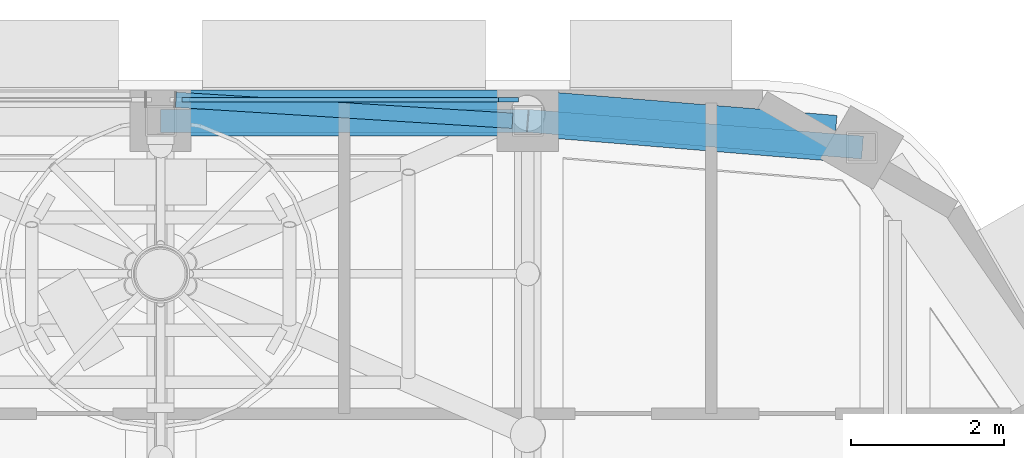
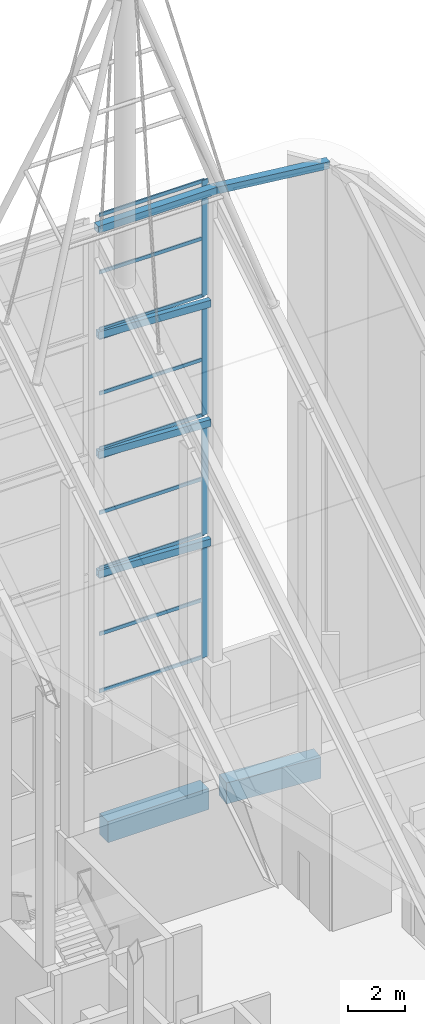
# One storey, part 6 of 25: 18 members, 5 beams, 4 elements without a shape of their own.
"""IFC4 building model written with IfcOpenShell, lengths in metres."""

from ifc_helpers import new_model, si_unit, direction, frame, origin, origin_2d, place, context, subcontext, project, spatial, rectangle, hollow_rectangle, extrude, material, material_profile, profile_set, type_object, element, aggregate, save


model = new_model("IFC4")

# Units and contexts
model_context = context("Model", 3, precision=1e-05, world=origin(), true_north=direction((0.0, 1.0)))
body_context = subcontext(model_context, "Body", "Model", "MODEL_VIEW")
ifc_project = project(units=[si_unit("LENGTHUNIT", "METRE"), si_unit("AREAUNIT", "SQUARE_METRE"), si_unit("VOLUMEUNIT", "CUBIC_METRE"), si_unit("PLANEANGLEUNIT", "RADIAN"), si_unit("MASSUNIT", "GRAM", prefix="KILO")], contexts=[model_context])

# Site, building, storey
site_placement = place(None, origin())
site = spatial("IfcSite", under=ifc_project, at=site_placement, CompositionType="ELEMENT")
building_placement = place(site_placement, origin())
building = spatial("IfcBuilding", under=site, at=building_placement, Name="Kolab Exchange Tower", CompositionType="ELEMENT")
storey_placement = place(building_placement, frame((0.0, 0.0, 301.89990234375)))
storey = spatial("IfcBuildingStorey", under=building, at=storey_placement, Name="L68", CompositionType="ELEMENT", Elevation=301.89990234375)

# Curtain wall, member
ifc_material_1 = material(Name="Aluminium EN AW-6063 T6", Category="aluminium")
curtain_wall_type = type_object("IfcCurtainWallType", Name="CROWN GLAZING CURTAIN WALL", PredefinedType="NOTDEFINED", material=ifc_material_1)
curtain_wall_1_placement = place(storey_placement, origin())
curtain_wall_1 = element("IfcCurtainWall", 1, at=curtain_wall_1_placement, inside=storey, type_object=curtain_wall_type, Name="cw/L68/crown-F1-3-1", PredefinedType="NOTDEFINED")
ifc_material_profile_1 = material_profile(ifc_material_1, rectangle(XDim=0.06005859375, YDim=0.260009765625, at=origin_2d()), Name="RECT 60X260")
ifc_profile_set_1 = profile_set([ifc_material_profile_1], Name="Aluminium EN AW-6063 T6")
member_type_1 = type_object("IfcMemberType", Name="CROWN GLAZING MULLION 60 X 260", PredefinedType="MULLION", material=ifc_profile_set_1)
member_1_placement = place(storey_placement, frame((4.550048828125, 16.502685546875, 5.0), z_axis=(0.0, 0.0, 1.0), x_axis=(0.0, 1.0, 0.0)))
member_1 = element("IfcMember", 2, at=member_1_placement, type_object=member_type_1, Name="CW7 mullion 2", PredefinedType="MULLION", context=body_context, shape_type="SweptSolid", body=[
    extrude(rectangle(XDim=0.06005859375, YDim=0.260009765625, at=origin_2d()), origin(), (0.0, 0.0, 1.0), 4.951904296875),
])

curtain_wall_2_placement = place(storey_placement, origin())
curtain_wall_2 = element("IfcCurtainWall", 3, at=curtain_wall_2_placement, inside=storey, type_object=curtain_wall_type, Name="cw/L68/crown-F1-3-2", PredefinedType="NOTDEFINED")
member_2_placement = place(storey_placement, frame((4.550048828125, 16.502685546875, 10.251953125), z_axis=(0.0, 0.0, 1.0), x_axis=(0.0, 1.0, 0.0)))
member_2 = element("IfcMember", 4, at=member_2_placement, type_object=member_type_1, Name="CW7 mullion 2", PredefinedType="MULLION", context=body_context, shape_type="SweptSolid", body=[
    extrude(rectangle(XDim=0.06005859375, YDim=0.260009765625, at=origin_2d()), origin(), (0.0, 0.0, 1.0), 4.8017578125),
])

curtain_wall_3_placement = place(storey_placement, origin())
curtain_wall_3 = element("IfcCurtainWall", 5, at=curtain_wall_3_placement, inside=storey, type_object=curtain_wall_type, Name="cw/L68/crown-F1-3-3", PredefinedType="NOTDEFINED")
member_3_placement = place(storey_placement, frame((4.550048828125, 16.502685546875, 15.353759765625), z_axis=(0.0, 0.0, 1.0), x_axis=(0.0, 1.0, 0.0)))
member_3 = element("IfcMember", 6, at=member_3_placement, type_object=member_type_1, Name="CW7 mullion 2", PredefinedType="MULLION", context=body_context, shape_type="SweptSolid", body=[
    extrude(rectangle(XDim=0.06005859375, YDim=0.260009765625, at=origin_2d()), origin(), (0.0, 0.0, 1.0), 4.8017578125),
])

curtain_wall_4_placement = place(storey_placement, origin())
curtain_wall_4 = element("IfcCurtainWall", 7, at=curtain_wall_4_placement, inside=storey, type_object=curtain_wall_type, Name="cw/L68/crown-F1-3-4", PredefinedType="NOTDEFINED")
member_4_placement = place(storey_placement, frame((4.550048828125, 16.502685546875, 20.45556640625), z_axis=(0.0, 0.0, 1.0), x_axis=(0.0, 1.0, 0.0)))
member_4 = element("IfcMember", 8, at=member_4_placement, type_object=member_type_1, Name="CW7 mullion 2", PredefinedType="MULLION", context=body_context, shape_type="SweptSolid", body=[
    extrude(rectangle(XDim=0.06005859375, YDim=0.260009765625, at=origin_2d()), origin(), (0.0, 0.0, 1.0), 4.951904296875),
])

# Member
ifc_material_profile_2 = material_profile(ifc_material_1, rectangle(XDim=0.06005859375, YDim=0.14990234375, at=origin_2d()), Name="RECT 60X150")
ifc_profile_set_2 = profile_set([ifc_material_profile_2], Name="Aluminium EN AW-6063 T6")
member_type_2 = type_object("IfcMemberType", Name="CROWN GLAZING TRANSOM 60 X 150", PredefinedType="USERDEFINED", material=ifc_profile_set_2)
member_5_placement = place(storey_placement, frame((0.280029296875, 16.502685546875, 5.030029296875), z_axis=(1.0, 0.0, 0.0), x_axis=(0.0, 1.0, 0.0)))
member_5 = element("IfcMember", 9, at=member_5_placement, type_object=member_type_2, Name="CW7 transom 1.1", ObjectType="TRANSOM", PredefinedType="USERDEFINED", context=body_context, shape_type="SweptSolid", body=[
    extrude(rectangle(XDim=0.06005859375, YDim=0.14990234375, at=origin_2d()), origin(), (0.0, 0.0, 1.0), 4.239990234375),
])

member_6_placement = place(storey_placement, frame((0.280029296875, 16.502685546875, 7.47607421875), z_axis=(1.0, 0.0, 0.0), x_axis=(0.0, 1.0, 0.0)))
member_6 = element("IfcMember", 10, at=member_6_placement, type_object=member_type_2, Name="CW7 transom 1.2", ObjectType="TRANSOM", PredefinedType="USERDEFINED", context=body_context, shape_type="SweptSolid", body=[
    extrude(rectangle(XDim=0.06005859375, YDim=0.14990234375, at=origin_2d()), origin(), (0.0, 0.0, 1.0), 4.239990234375),
])

member_7_placement = place(storey_placement, frame((0.280029296875, 16.502685546875, 9.921875), z_axis=(1.0, 0.0, 0.0), x_axis=(0.0, 1.0, 0.0)))
member_7 = element("IfcMember", 11, at=member_7_placement, type_object=member_type_2, Name="CW7 transom 1.3", ObjectType="TRANSOM", PredefinedType="USERDEFINED", context=body_context, shape_type="SweptSolid", body=[
    extrude(rectangle(XDim=0.06005859375, YDim=0.14990234375, at=origin_2d()), origin(), (0.0, 0.0, 1.0), 4.239990234375),
])

aggregate(curtain_wall_1, [member_1, member_5, member_6, member_7])

member_8_placement = place(storey_placement, frame((0.280029296875, 16.502685546875, 10.281982421875), z_axis=(1.0, 0.0, 0.0), x_axis=(0.0, 1.0, 0.0)))
member_8 = element("IfcMember", 12, at=member_8_placement, type_object=member_type_2, Name="CW7 transom 1.1", ObjectType="TRANSOM", PredefinedType="USERDEFINED", context=body_context, shape_type="SweptSolid", body=[
    extrude(rectangle(XDim=0.06005859375, YDim=0.14990234375, at=origin_2d()), origin(), (0.0, 0.0, 1.0), 4.239990234375),
])

member_9_placement = place(storey_placement, frame((0.280029296875, 16.502685546875, 12.65283203125), z_axis=(1.0, 0.0, 0.0), x_axis=(0.0, 1.0, 0.0)))
member_9 = element("IfcMember", 13, at=member_9_placement, type_object=member_type_2, Name="CW7 transom 1.2", ObjectType="TRANSOM", PredefinedType="USERDEFINED", context=body_context, shape_type="SweptSolid", body=[
    extrude(rectangle(XDim=0.06005859375, YDim=0.14990234375, at=origin_2d()), origin(), (0.0, 0.0, 1.0), 4.239990234375),
])

member_10_placement = place(storey_placement, frame((0.280029296875, 16.502685546875, 15.023681640625), z_axis=(1.0, 0.0, 0.0), x_axis=(0.0, 1.0, 0.0)))
member_10 = element("IfcMember", 14, at=member_10_placement, type_object=member_type_2, Name="CW7 transom 1.3", ObjectType="TRANSOM", PredefinedType="USERDEFINED", context=body_context, shape_type="SweptSolid", body=[
    extrude(rectangle(XDim=0.06005859375, YDim=0.14990234375, at=origin_2d()), origin(), (0.0, 0.0, 1.0), 4.239990234375),
])

aggregate(curtain_wall_2, [member_2, member_8, member_9, member_10])

member_11_placement = place(storey_placement, frame((0.280029296875, 16.502685546875, 15.3837890625), z_axis=(1.0, 0.0, 0.0), x_axis=(0.0, 1.0, 0.0)))
member_11 = element("IfcMember", 15, at=member_11_placement, type_object=member_type_2, Name="CW7 transom 1.1", ObjectType="TRANSOM", PredefinedType="USERDEFINED", context=body_context, shape_type="SweptSolid", body=[
    extrude(rectangle(XDim=0.06005859375, YDim=0.14990234375, at=origin_2d()), origin(), (0.0, 0.0, 1.0), 4.239990234375),
])

member_12_placement = place(storey_placement, frame((0.280029296875, 16.502685546875, 17.754638671875), z_axis=(1.0, 0.0, 0.0), x_axis=(0.0, 1.0, 0.0)))
member_12 = element("IfcMember", 16, at=member_12_placement, type_object=member_type_2, Name="CW7 transom 1.2", ObjectType="TRANSOM", PredefinedType="USERDEFINED", context=body_context, shape_type="SweptSolid", body=[
    extrude(rectangle(XDim=0.06005859375, YDim=0.14990234375, at=origin_2d()), origin(), (0.0, 0.0, 1.0), 4.239990234375),
])

member_13_placement = place(storey_placement, frame((0.280029296875, 16.502685546875, 20.125732421875), z_axis=(1.0, 0.0, 0.0), x_axis=(0.0, 1.0, 0.0)))
member_13 = element("IfcMember", 17, at=member_13_placement, type_object=member_type_2, Name="CW7 transom 1.3", ObjectType="TRANSOM", PredefinedType="USERDEFINED", context=body_context, shape_type="SweptSolid", body=[
    extrude(rectangle(XDim=0.06005859375, YDim=0.14990234375, at=origin_2d()), origin(), (0.0, 0.0, 1.0), 4.239990234375),
])

aggregate(curtain_wall_3, [member_3, member_11, member_12, member_13])

member_14_placement = place(storey_placement, frame((0.280029296875, 16.502685546875, 20.485595703125), z_axis=(1.0, 0.0, 0.0), x_axis=(0.0, 1.0, 0.0)))
member_14 = element("IfcMember", 18, at=member_14_placement, type_object=member_type_2, Name="CW7 transom 1.1", ObjectType="TRANSOM", PredefinedType="USERDEFINED", context=body_context, shape_type="SweptSolid", body=[
    extrude(rectangle(XDim=0.06005859375, YDim=0.14990234375, at=origin_2d()), origin(), (0.0, 0.0, 1.0), 4.239990234375),
])

member_15_placement = place(storey_placement, frame((0.280029296875, 16.502685546875, 22.931640625), z_axis=(1.0, 0.0, 0.0), x_axis=(0.0, 1.0, 0.0)))
member_15 = element("IfcMember", 19, at=member_15_placement, type_object=member_type_2, Name="CW7 transom 1.2", ObjectType="TRANSOM", PredefinedType="USERDEFINED", context=body_context, shape_type="SweptSolid", body=[
    extrude(rectangle(XDim=0.06005859375, YDim=0.14990234375, at=origin_2d()), origin(), (0.0, 0.0, 1.0), 4.239990234375),
])

member_16_placement = place(storey_placement, frame((0.280029296875, 16.502685546875, 25.37744140625), z_axis=(1.0, 0.0, 0.0), x_axis=(0.0, 1.0, 0.0)))
member_16 = element("IfcMember", 20, at=member_16_placement, type_object=member_type_2, Name="CW7 transom 1.3", ObjectType="TRANSOM", PredefinedType="USERDEFINED", context=body_context, shape_type="SweptSolid", body=[
    extrude(rectangle(XDim=0.06005859375, YDim=0.14990234375, at=origin_2d()), origin(), (0.0, 0.0, 1.0), 4.239990234375),
])

aggregate(curtain_wall_4, [member_4, member_14, member_15, member_16])

# Members
ifc_material_2 = material(Name="Steel S355", Category="steel")
ifc_material_profile_3 = material_profile(ifc_material_2, hollow_rectangle(XDim=0.300048828125, YDim=0.300048828125, WallThickness=0.01611328125, at=origin_2d()), Name="HSS300X300X16")
ifc_profile_set_3 = profile_set([ifc_material_profile_3], Name="Steel S355")
member_type_3 = type_object("IfcMemberType", Name="CROWN RING HSS300X300X16", PredefinedType="CHORD", material=ifc_profile_set_3)
member_17_placement = place(storey_placement, frame((0.0, 16.227783203125, 25.085693359375), z_axis=(1.0, 0.0, 0.0), x_axis=(0.0, 1.0, 0.0)))
element("IfcMember", 21, at=member_17_placement, inside=storey, type_object=member_type_3, Name="mem/L68/crown/ring-F1-03", PredefinedType="CHORD", context=body_context, shape_type="SweptSolid", body=[
    extrude(hollow_rectangle(XDim=0.300048828125, YDim=0.300048828125, WallThickness=0.01611328125, at=origin_2d()), origin(), (0.0, 0.0, 1.0), 4.800048828125),
])
member_18_placement = place(storey_placement, frame((4.800048828125, 16.227783203125, 25.085693359375), z_axis=(0.995605365729, -0.079410254144, -0.049638364889), x_axis=(0.079508267441, 0.99683420658, 0.0)))
element("IfcMember", 22, at=member_18_placement, inside=storey, type_object=member_type_3, Name="mem/L68/crown/ring-F1-04", PredefinedType="CHORD", context=body_context, shape_type="SweptSolid", body=[
    extrude(hollow_rectangle(XDim=0.300048828125, YDim=0.300048828125, WallThickness=0.01611328125, at=origin_2d()), origin(), (0.0, 0.0, 1.0), 4.38720703125),
])

# Beams
ifc_material_profile_4 = material_profile(ifc_material_2, hollow_rectangle(XDim=0.199951171875, YDim=0.300048828125, WallThickness=0.011962890625, at=origin_2d()), Name="RHS300X200X12")
ifc_profile_set_4 = profile_set([ifc_material_profile_4], Name="Steel S355")
beam_type_1 = type_object("IfcBeamType", Name="CROWN WIND GIRDER RHS 300 X 200 X 12", PredefinedType="BEAM", material=ifc_profile_set_4)
for number, where, z_axis, x_axis, name in (
    (23, (0.199951171875, 16.502685546875, 10.10205078125), (0.998054086506, -0.062354153105, 0.0), (0.062354153105, 0.998054086506, 0.0), "Crown wind girder"),
    (24, (0.199951171875, 16.502685546875, 15.203857421875), (0.998054086506, -0.062354153105, 0.0), (0.062354153105, 0.998054086506, 0.0), "Crown wind girder"),
    (25, (0.199951171875, 16.502685546875, 20.3056640625), (0.998054086506, -0.062354153105, 0.0), (0.062354153105, 0.998054086506, 0.0), "Crown wind girder"),
):
    element("IfcBeam", number, at=place(storey_placement, frame(where, z_axis=z_axis, x_axis=x_axis)), inside=storey, type_object=beam_type_1, Name=name, PredefinedType="BEAM", context=body_context, shape_type="SweptSolid", body=[
        extrude(hollow_rectangle(XDim=0.199951171875, YDim=0.300048828125, WallThickness=0.011962890625, at=origin_2d()), origin(), (0.0, 0.0, 1.0), 4.40869140625),
    ])
ifc_material_3 = material(Name="Concrete C50/60", Category="concrete")
ifc_material_profile_5 = material_profile(ifc_material_3, rectangle(XDim=0.60009765625, YDim=0.89990234375, at=origin_2d()), Name="RC600X900")
ifc_profile_set_5 = profile_set([ifc_material_profile_5], Name="Concrete C50/60")
beam_type_2 = type_object("IfcBeamType", Name="SPANDREL BEAM 600X900 C50/60", PredefinedType="BEAM", material=ifc_profile_set_5)
beam_1_placement = place(storey_placement, frame((0.360107421875, 16.32763671875, -0.75), z_axis=(1.0, 0.0, 0.0), x_axis=(0.0, 1.0, 0.0)))
element("IfcBeam", 26, at=beam_1_placement, inside=storey, type_object=beam_type_2, Name="beam/L68/sp/F1-03", PredefinedType="BEAM", context=body_context, shape_type="SweptSolid", body=[
    extrude(rectangle(XDim=0.60009765625, YDim=0.89990234375, at=origin_2d()), origin(), (0.0, 0.0, 1.0), 4.079833984375),
])
beam_2_placement = place(storey_placement, frame((5.16015625, 16.298095703125, -0.75), z_axis=(0.996666751878, -0.081580547323, 0.0), x_axis=(0.081580547323, 0.996666751878, 0.0)))
element("IfcBeam", 27, at=beam_2_placement, inside=storey, type_object=beam_type_2, Name="beam/L68/sp/F1-04", PredefinedType="BEAM", context=body_context, shape_type="SweptSolid", body=[
    extrude(rectangle(XDim=0.60009765625, YDim=0.89990234375, at=origin_2d()), origin(), (0.0, 0.0, 1.0), 3.6689453125),
])

save(model, "model.ifc")
